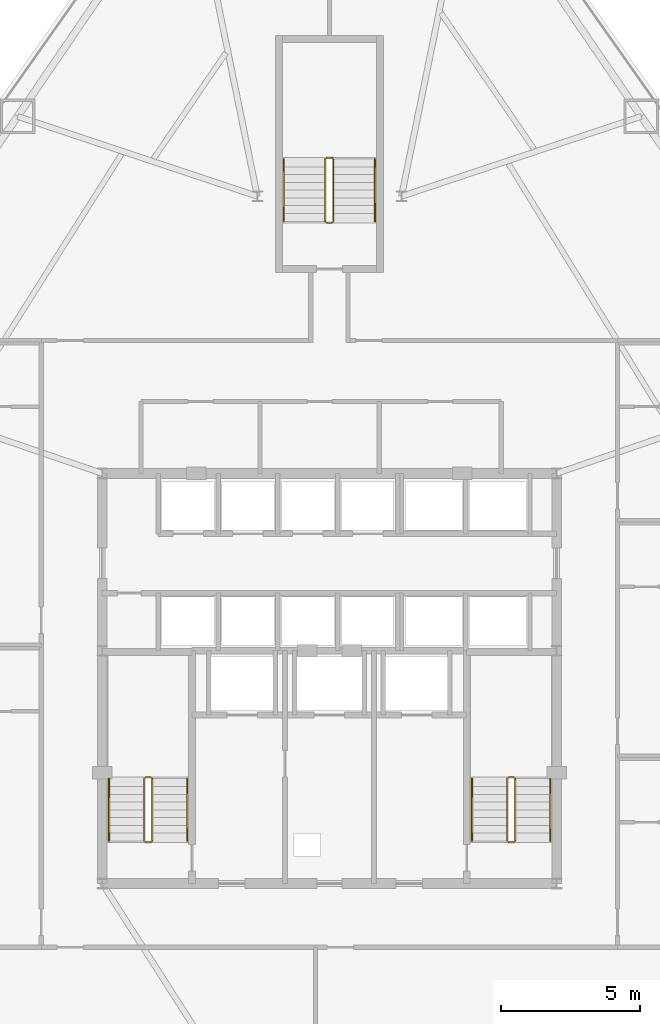
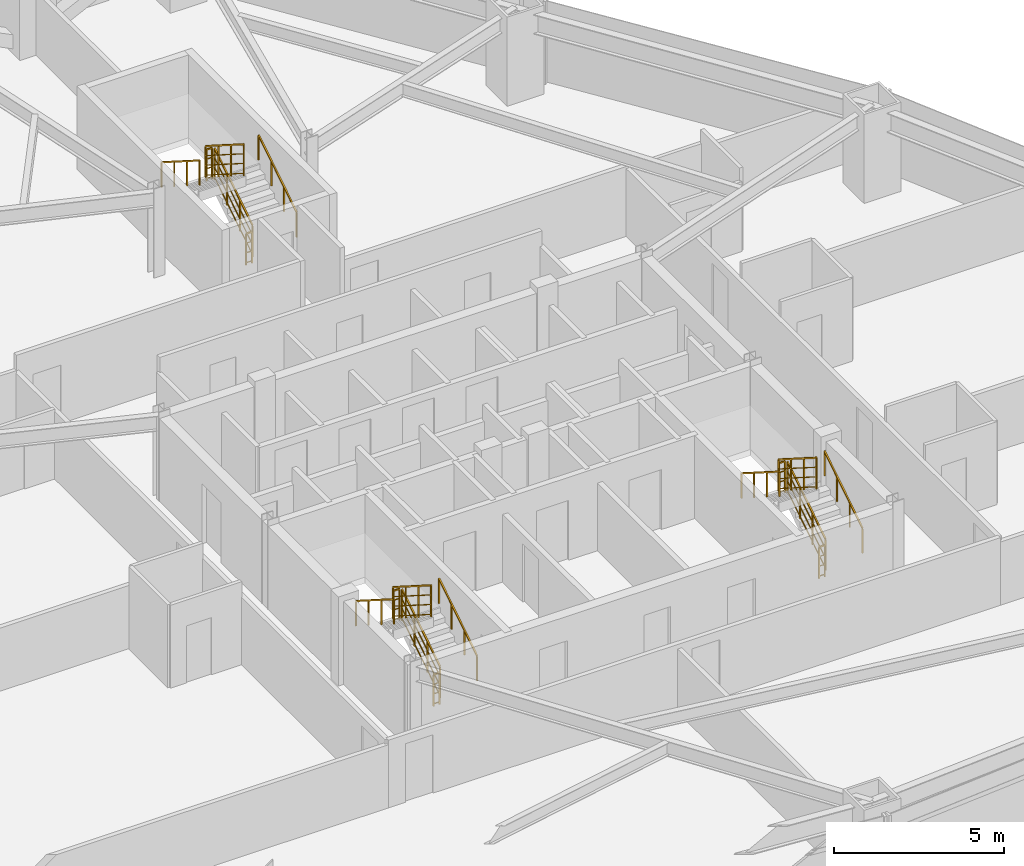
# One storey, part 12 of 12: 18 railings.
"""IFC4 building model written with IfcOpenShell, lengths in metres."""

from ifc_helpers import new_model, si_unit, direction, frame, origin, origin_2d, place, context, subcontext, project, spatial, rectangle, extrude, material, type_object, element, save


model = new_model("IFC4")

# Units and contexts
model_context = context("Model", 3, precision=1e-05, world=origin(), true_north=direction((0.0, 1.0)))
body_context = subcontext(model_context, "Body", "Model", "MODEL_VIEW")
ifc_project = project(units=[si_unit("LENGTHUNIT", "METRE"), si_unit("AREAUNIT", "SQUARE_METRE"), si_unit("VOLUMEUNIT", "CUBIC_METRE"), si_unit("PLANEANGLEUNIT", "RADIAN"), si_unit("MASSUNIT", "GRAM", prefix="KILO")], contexts=[model_context])

# Site, building, storey
site_placement = place(None, origin())
site = spatial("IfcSite", under=ifc_project, at=site_placement, CompositionType="ELEMENT")
building_placement = place(site_placement, origin())
building = spatial("IfcBuilding", under=site, at=building_placement, Name="Varakhsha Concourse Tower", CompositionType="ELEMENT")
storey_placement = place(building_placement, frame((0.0, 0.0, 36.800048828125)))
storey = spatial("IfcBuildingStorey", under=building, at=storey_placement, Name="L09", CompositionType="ELEMENT", Elevation=36.800048828125)

# Railings
ifc_material = material(Name="Brushed Austenitic Stainless Steel AISI 316", Category="steel")
railing_type_1 = type_object("IfcRailingType", Name="RL-STAIR-GUARD-1100", PredefinedType="GUARDRAIL", material=ifc_material)
railing_1_placement = place(storey_placement, frame((33.610107421875, 17.93994140625, 0.177734375)))
element("IfcRailing", 1, at=railing_1_placement, inside=storey, type_object=railing_type_1, Name="L09 ST1 stair guard 1", PredefinedType="GUARDRAIL", context=body_context, shape_type="SweptSolid", body=[
    extrude(rectangle(XDim=0.048095703125, YDim=0.048095703125, at=origin_2d()), frame((0.0, 0.0, 1.1259765625), z_axis=(0.0, 0.8442293374, 0.53598211339), x_axis=(-1.0, 0.0, 0.0)), (0.0, 0.0, 1.0), 2.6533203125),
    extrude(rectangle(XDim=0.028076171875, YDim=0.028076171875, at=origin_2d()), frame((0.0, 0.0, 0.080078125), z_axis=(0.0, 0.8442293374, 0.53598211339), x_axis=(-1.0, 0.0, 0.0)), (0.0, 0.0, 1.0), 2.6533203125),
    extrude(rectangle(XDim=0.028076171875, YDim=0.028076171875, at=origin_2d()), frame((0.0, 0.0, 0.43701171875), z_axis=(0.0, 0.8442293374, 0.53598211339), x_axis=(-1.0, 0.0, 0.0)), (0.0, 0.0, 1.0), 2.6533203125),
    extrude(rectangle(XDim=0.028076171875, YDim=0.028076171875, at=origin_2d()), frame((0.0, 0.0, 0.781982421875), z_axis=(0.0, 0.8442293374, 0.53598211339), x_axis=(-1.0, 0.0, 0.0)), (0.0, 0.0, 1.0), 2.6533203125),
    extrude(rectangle(XDim=0.0419921875, YDim=0.0419921875, at=origin_2d()), origin(), (0.0, 0.0, 1.0), 1.101806640625),
    extrude(rectangle(XDim=0.0419921875, YDim=0.0419921875, at=origin_2d()), frame((0.0, 0.74658203125, 0.47412109375)), (0.0, 0.0, 1.0), 1.101806640625),
    extrude(rectangle(XDim=0.0419921875, YDim=0.0419921875, at=origin_2d()), frame((0.0, 1.493408203125, 0.947998046875)), (0.0, 0.0, 1.0), 1.101806640625),
    extrude(rectangle(XDim=0.0419921875, YDim=0.0419921875, at=origin_2d()), frame((0.0, 2.239990234375, 1.422119140625)), (0.0, 0.0, 1.0), 1.101806640625),
])
railing_2_placement = place(storey_placement, frame((33.56005859375, 20.22998046875, 1.599853515625)))
element("IfcRailing", 2, at=railing_2_placement, inside=storey, type_object=railing_type_1, Name="L09 ST1 stair guard 2", PredefinedType="GUARDRAIL", context=body_context, shape_type="SweptSolid", body=[
    extrude(rectangle(XDim=0.048095703125, YDim=0.048095703125, at=origin_2d()), frame((0.0, 0.0, 1.1259765625), z_axis=(-1.0, 0.0, 0.0), x_axis=(0.0, -1.0, 0.0)), (0.0, 0.0, 1.0), 0.199951171875),
    extrude(rectangle(XDim=0.028076171875, YDim=0.028076171875, at=origin_2d()), frame((0.0, 0.0, 0.080078125), z_axis=(-1.0, 0.0, 0.0), x_axis=(0.0, -1.0, 0.0)), (0.0, 0.0, 1.0), 0.199951171875),
    extrude(rectangle(XDim=0.028076171875, YDim=0.028076171875, at=origin_2d()), frame((0.0, 0.0, 0.43701171875), z_axis=(-1.0, 0.0, 0.0), x_axis=(0.0, -1.0, 0.0)), (0.0, 0.0, 1.0), 0.199951171875),
    extrude(rectangle(XDim=0.028076171875, YDim=0.028076171875, at=origin_2d()), frame((0.0, 0.0, 0.781982421875), z_axis=(-1.0, 0.0, 0.0), x_axis=(0.0, -1.0, 0.0)), (0.0, 0.0, 1.0), 0.199951171875),
    extrude(rectangle(XDim=0.0419921875, YDim=0.0419921875, at=origin_2d()), origin(), (0.0, 0.0, 1.0), 1.101806640625),
    extrude(rectangle(XDim=0.0419921875, YDim=0.0419921875, at=origin_2d()), frame((-0.199951171875, 0.0, 0.0)), (0.0, 0.0, 1.0), 1.101806640625),
])
railing_3_placement = place(storey_placement, frame((33.31005859375, 20.179931640625, 1.77783203125)))
element("IfcRailing", 3, at=railing_3_placement, inside=storey, type_object=railing_type_1, Name="L09 ST1 stair guard 3", PredefinedType="GUARDRAIL", context=body_context, shape_type="SweptSolid", body=[
    extrude(rectangle(XDim=0.048095703125, YDim=0.048095703125, at=origin_2d()), frame((0.0, 0.0, 1.1259765625), z_axis=(0.0, -0.8442293374, 0.53598211339), x_axis=(1.0, 0.0, 0.0)), (0.0, 0.0, 1.0), 2.6533203125),
    extrude(rectangle(XDim=0.028076171875, YDim=0.028076171875, at=origin_2d()), frame((0.0, 0.0, 0.080078125), z_axis=(0.0, -0.8442293374, 0.53598211339), x_axis=(1.0, 0.0, 0.0)), (0.0, 0.0, 1.0), 2.6533203125),
    extrude(rectangle(XDim=0.028076171875, YDim=0.028076171875, at=origin_2d()), frame((0.0, 0.0, 0.43701171875), z_axis=(0.0, -0.8442293374, 0.53598211339), x_axis=(1.0, 0.0, 0.0)), (0.0, 0.0, 1.0), 2.6533203125),
    extrude(rectangle(XDim=0.028076171875, YDim=0.028076171875, at=origin_2d()), frame((0.0, 0.0, 0.781982421875), z_axis=(0.0, -0.8442293374, 0.53598211339), x_axis=(1.0, 0.0, 0.0)), (0.0, 0.0, 1.0), 2.6533203125),
    extrude(rectangle(XDim=0.0419921875, YDim=0.0419921875, at=origin_2d()), origin(), (0.0, 0.0, 1.0), 1.101806640625),
    extrude(rectangle(XDim=0.0419921875, YDim=0.0419921875, at=origin_2d()), frame((0.0, -0.74658203125, 0.47412109375)), (0.0, 0.0, 1.0), 1.101806640625),
    extrude(rectangle(XDim=0.0419921875, YDim=0.0419921875, at=origin_2d()), frame((0.0, -1.493408203125, 0.947998046875)), (0.0, 0.0, 1.0), 1.101806640625),
    extrude(rectangle(XDim=0.0419921875, YDim=0.0419921875, at=origin_2d()), frame((0.0, -2.239990234375, 1.422119140625)), (0.0, 0.0, 1.0), 1.101806640625),
])
railing_4_placement = place(storey_placement, frame((33.56005859375, 17.889892578125, 0.0)))
element("IfcRailing", 4, at=railing_4_placement, inside=storey, type_object=railing_type_1, Name="L09 ST1 stair guard 4", PredefinedType="GUARDRAIL", context=body_context, shape_type="SweptSolid", body=[
    extrude(rectangle(XDim=0.048095703125, YDim=0.048095703125, at=origin_2d()), frame((0.0, 0.0, 1.1259765625), z_axis=(-1.0, 0.0, 0.0), x_axis=(0.0, -1.0, 0.0)), (0.0, 0.0, 1.0), 0.199951171875),
    extrude(rectangle(XDim=0.028076171875, YDim=0.028076171875, at=origin_2d()), frame((0.0, 0.0, 0.080078125), z_axis=(-1.0, 0.0, 0.0), x_axis=(0.0, -1.0, 0.0)), (0.0, 0.0, 1.0), 0.199951171875),
    extrude(rectangle(XDim=0.028076171875, YDim=0.028076171875, at=origin_2d()), frame((0.0, 0.0, 0.43701171875), z_axis=(-1.0, 0.0, 0.0), x_axis=(0.0, -1.0, 0.0)), (0.0, 0.0, 1.0), 0.199951171875),
    extrude(rectangle(XDim=0.028076171875, YDim=0.028076171875, at=origin_2d()), frame((0.0, 0.0, 0.781982421875), z_axis=(-1.0, 0.0, 0.0), x_axis=(0.0, -1.0, 0.0)), (0.0, 0.0, 1.0), 0.199951171875),
    extrude(rectangle(XDim=0.0419921875, YDim=0.0419921875, at=origin_2d()), origin(), (0.0, 0.0, 1.0), 1.101806640625),
    extrude(rectangle(XDim=0.0419921875, YDim=0.0419921875, at=origin_2d()), frame((-0.199951171875, 0.0, 0.0)), (0.0, 0.0, 1.0), 1.101806640625),
])
railing_5_placement = place(storey_placement, frame((46.7099609375, 17.93994140625, 0.177734375)))
element("IfcRailing", 5, at=railing_5_placement, inside=storey, type_object=railing_type_1, Name="L09 ST2 stair guard 1", PredefinedType="GUARDRAIL", context=body_context, shape_type="SweptSolid", body=[
    extrude(rectangle(XDim=0.048095703125, YDim=0.048095703125, at=origin_2d()), frame((0.0, 0.0, 1.1259765625), z_axis=(0.0, 0.8442293374, 0.53598211339), x_axis=(-1.0, 0.0, 0.0)), (0.0, 0.0, 1.0), 2.6533203125),
    extrude(rectangle(XDim=0.028076171875, YDim=0.028076171875, at=origin_2d()), frame((0.0, 0.0, 0.080078125), z_axis=(0.0, 0.8442293374, 0.53598211339), x_axis=(-1.0, 0.0, 0.0)), (0.0, 0.0, 1.0), 2.6533203125),
    extrude(rectangle(XDim=0.028076171875, YDim=0.028076171875, at=origin_2d()), frame((0.0, 0.0, 0.43701171875), z_axis=(0.0, 0.8442293374, 0.53598211339), x_axis=(-1.0, 0.0, 0.0)), (0.0, 0.0, 1.0), 2.6533203125),
    extrude(rectangle(XDim=0.028076171875, YDim=0.028076171875, at=origin_2d()), frame((0.0, 0.0, 0.781982421875), z_axis=(0.0, 0.8442293374, 0.53598211339), x_axis=(-1.0, 0.0, 0.0)), (0.0, 0.0, 1.0), 2.6533203125),
    extrude(rectangle(XDim=0.0419921875, YDim=0.0419921875, at=origin_2d()), origin(), (0.0, 0.0, 1.0), 1.101806640625),
    extrude(rectangle(XDim=0.0419921875, YDim=0.0419921875, at=origin_2d()), frame((0.0, 0.74658203125, 0.47412109375)), (0.0, 0.0, 1.0), 1.101806640625),
    extrude(rectangle(XDim=0.0419921875, YDim=0.0419921875, at=origin_2d()), frame((0.0, 1.493408203125, 0.947998046875)), (0.0, 0.0, 1.0), 1.101806640625),
    extrude(rectangle(XDim=0.0419921875, YDim=0.0419921875, at=origin_2d()), frame((0.0, 2.239990234375, 1.422119140625)), (0.0, 0.0, 1.0), 1.101806640625),
])
railing_6_placement = place(storey_placement, frame((46.659912109375, 20.22998046875, 1.599853515625)))
element("IfcRailing", 6, at=railing_6_placement, inside=storey, type_object=railing_type_1, Name="L09 ST2 stair guard 2", PredefinedType="GUARDRAIL", context=body_context, shape_type="SweptSolid", body=[
    extrude(rectangle(XDim=0.048095703125, YDim=0.048095703125, at=origin_2d()), frame((0.0, 0.0, 1.1259765625), z_axis=(-1.0, 0.0, 0.0), x_axis=(0.0, -1.0, 0.0)), (0.0, 0.0, 1.0), 0.199951171875),
    extrude(rectangle(XDim=0.028076171875, YDim=0.028076171875, at=origin_2d()), frame((0.0, 0.0, 0.080078125), z_axis=(-1.0, 0.0, 0.0), x_axis=(0.0, -1.0, 0.0)), (0.0, 0.0, 1.0), 0.199951171875),
    extrude(rectangle(XDim=0.028076171875, YDim=0.028076171875, at=origin_2d()), frame((0.0, 0.0, 0.43701171875), z_axis=(-1.0, 0.0, 0.0), x_axis=(0.0, -1.0, 0.0)), (0.0, 0.0, 1.0), 0.199951171875),
    extrude(rectangle(XDim=0.028076171875, YDim=0.028076171875, at=origin_2d()), frame((0.0, 0.0, 0.781982421875), z_axis=(-1.0, 0.0, 0.0), x_axis=(0.0, -1.0, 0.0)), (0.0, 0.0, 1.0), 0.199951171875),
    extrude(rectangle(XDim=0.0419921875, YDim=0.0419921875, at=origin_2d()), origin(), (0.0, 0.0, 1.0), 1.101806640625),
    extrude(rectangle(XDim=0.0419921875, YDim=0.0419921875, at=origin_2d()), frame((-0.199951171875, 0.0, 0.0)), (0.0, 0.0, 1.0), 1.101806640625),
])
railing_7_placement = place(storey_placement, frame((46.409912109375, 20.179931640625, 1.77783203125)))
element("IfcRailing", 7, at=railing_7_placement, inside=storey, type_object=railing_type_1, Name="L09 ST2 stair guard 3", PredefinedType="GUARDRAIL", context=body_context, shape_type="SweptSolid", body=[
    extrude(rectangle(XDim=0.048095703125, YDim=0.048095703125, at=origin_2d()), frame((0.0, 0.0, 1.1259765625), z_axis=(0.0, -0.8442293374, 0.53598211339), x_axis=(1.0, 0.0, 0.0)), (0.0, 0.0, 1.0), 2.6533203125),
    extrude(rectangle(XDim=0.028076171875, YDim=0.028076171875, at=origin_2d()), frame((0.0, 0.0, 0.080078125), z_axis=(0.0, -0.8442293374, 0.53598211339), x_axis=(1.0, 0.0, 0.0)), (0.0, 0.0, 1.0), 2.6533203125),
    extrude(rectangle(XDim=0.028076171875, YDim=0.028076171875, at=origin_2d()), frame((0.0, 0.0, 0.43701171875), z_axis=(0.0, -0.8442293374, 0.53598211339), x_axis=(1.0, 0.0, 0.0)), (0.0, 0.0, 1.0), 2.6533203125),
    extrude(rectangle(XDim=0.028076171875, YDim=0.028076171875, at=origin_2d()), frame((0.0, 0.0, 0.781982421875), z_axis=(0.0, -0.8442293374, 0.53598211339), x_axis=(1.0, 0.0, 0.0)), (0.0, 0.0, 1.0), 2.6533203125),
    extrude(rectangle(XDim=0.0419921875, YDim=0.0419921875, at=origin_2d()), origin(), (0.0, 0.0, 1.0), 1.101806640625),
    extrude(rectangle(XDim=0.0419921875, YDim=0.0419921875, at=origin_2d()), frame((0.0, -0.74658203125, 0.47412109375)), (0.0, 0.0, 1.0), 1.101806640625),
    extrude(rectangle(XDim=0.0419921875, YDim=0.0419921875, at=origin_2d()), frame((0.0, -1.493408203125, 0.947998046875)), (0.0, 0.0, 1.0), 1.101806640625),
    extrude(rectangle(XDim=0.0419921875, YDim=0.0419921875, at=origin_2d()), frame((0.0, -2.239990234375, 1.422119140625)), (0.0, 0.0, 1.0), 1.101806640625),
])
railing_8_placement = place(storey_placement, frame((46.659912109375, 17.889892578125, 0.0)))
element("IfcRailing", 8, at=railing_8_placement, inside=storey, type_object=railing_type_1, Name="L09 ST2 stair guard 4", PredefinedType="GUARDRAIL", context=body_context, shape_type="SweptSolid", body=[
    extrude(rectangle(XDim=0.048095703125, YDim=0.048095703125, at=origin_2d()), frame((0.0, 0.0, 1.1259765625), z_axis=(-1.0, 0.0, 0.0), x_axis=(0.0, -1.0, 0.0)), (0.0, 0.0, 1.0), 0.199951171875),
    extrude(rectangle(XDim=0.028076171875, YDim=0.028076171875, at=origin_2d()), frame((0.0, 0.0, 0.080078125), z_axis=(-1.0, 0.0, 0.0), x_axis=(0.0, -1.0, 0.0)), (0.0, 0.0, 1.0), 0.199951171875),
    extrude(rectangle(XDim=0.028076171875, YDim=0.028076171875, at=origin_2d()), frame((0.0, 0.0, 0.43701171875), z_axis=(-1.0, 0.0, 0.0), x_axis=(0.0, -1.0, 0.0)), (0.0, 0.0, 1.0), 0.199951171875),
    extrude(rectangle(XDim=0.028076171875, YDim=0.028076171875, at=origin_2d()), frame((0.0, 0.0, 0.781982421875), z_axis=(-1.0, 0.0, 0.0), x_axis=(0.0, -1.0, 0.0)), (0.0, 0.0, 1.0), 0.199951171875),
    extrude(rectangle(XDim=0.0419921875, YDim=0.0419921875, at=origin_2d()), origin(), (0.0, 0.0, 1.0), 1.101806640625),
    extrude(rectangle(XDim=0.0419921875, YDim=0.0419921875, at=origin_2d()), frame((-0.199951171875, 0.0, 0.0)), (0.0, 0.0, 1.0), 1.101806640625),
])
railing_9_placement = place(storey_placement, frame((40.14990234375, 40.300048828125, 0.177734375)))
element("IfcRailing", 9, at=railing_9_placement, inside=storey, type_object=railing_type_1, Name="L09 ST5 stair guard 1", PredefinedType="GUARDRAIL", context=body_context, shape_type="SweptSolid", body=[
    extrude(rectangle(XDim=0.048095703125, YDim=0.048095703125, at=origin_2d()), frame((0.0, 0.0, 1.1259765625), z_axis=(0.0, 0.8442293374, 0.53598211339), x_axis=(-1.0, 0.0, 0.0)), (0.0, 0.0, 1.0), 2.6533203125),
    extrude(rectangle(XDim=0.028076171875, YDim=0.028076171875, at=origin_2d()), frame((0.0, 0.0, 0.080078125), z_axis=(0.0, 0.8442293374, 0.53598211339), x_axis=(-1.0, 0.0, 0.0)), (0.0, 0.0, 1.0), 2.6533203125),
    extrude(rectangle(XDim=0.028076171875, YDim=0.028076171875, at=origin_2d()), frame((0.0, 0.0, 0.43701171875), z_axis=(0.0, 0.8442293374, 0.53598211339), x_axis=(-1.0, 0.0, 0.0)), (0.0, 0.0, 1.0), 2.6533203125),
    extrude(rectangle(XDim=0.028076171875, YDim=0.028076171875, at=origin_2d()), frame((0.0, 0.0, 0.781982421875), z_axis=(0.0, 0.8442293374, 0.53598211339), x_axis=(-1.0, 0.0, 0.0)), (0.0, 0.0, 1.0), 2.6533203125),
    extrude(rectangle(XDim=0.0419921875, YDim=0.0419921875, at=origin_2d()), origin(), (0.0, 0.0, 1.0), 1.101806640625),
    extrude(rectangle(XDim=0.0419921875, YDim=0.0419921875, at=origin_2d()), frame((0.0, 0.74658203125, 0.47412109375)), (0.0, 0.0, 1.0), 1.101806640625),
    extrude(rectangle(XDim=0.0419921875, YDim=0.0419921875, at=origin_2d()), frame((0.0, 1.493408203125, 0.947998046875)), (0.0, 0.0, 1.0), 1.101806640625),
    extrude(rectangle(XDim=0.0419921875, YDim=0.0419921875, at=origin_2d()), frame((0.0, 2.239990234375, 1.422119140625)), (0.0, 0.0, 1.0), 1.101806640625),
])
railing_10_placement = place(storey_placement, frame((40.10009765625, 42.590087890625, 1.599853515625)))
element("IfcRailing", 10, at=railing_10_placement, inside=storey, type_object=railing_type_1, Name="L09 ST5 stair guard 2", PredefinedType="GUARDRAIL", context=body_context, shape_type="SweptSolid", body=[
    extrude(rectangle(XDim=0.048095703125, YDim=0.048095703125, at=origin_2d()), frame((0.0, 0.0, 1.1259765625), z_axis=(-1.0, 0.0, 0.0), x_axis=(0.0, -1.0, 0.0)), (0.0, 0.0, 1.0), 0.2001953125),
    extrude(rectangle(XDim=0.028076171875, YDim=0.028076171875, at=origin_2d()), frame((0.0, 0.0, 0.080078125), z_axis=(-1.0, 0.0, 0.0), x_axis=(0.0, -1.0, 0.0)), (0.0, 0.0, 1.0), 0.2001953125),
    extrude(rectangle(XDim=0.028076171875, YDim=0.028076171875, at=origin_2d()), frame((0.0, 0.0, 0.43701171875), z_axis=(-1.0, 0.0, 0.0), x_axis=(0.0, -1.0, 0.0)), (0.0, 0.0, 1.0), 0.2001953125),
    extrude(rectangle(XDim=0.028076171875, YDim=0.028076171875, at=origin_2d()), frame((0.0, 0.0, 0.781982421875), z_axis=(-1.0, 0.0, 0.0), x_axis=(0.0, -1.0, 0.0)), (0.0, 0.0, 1.0), 0.2001953125),
    extrude(rectangle(XDim=0.0419921875, YDim=0.0419921875, at=origin_2d()), origin(), (0.0, 0.0, 1.0), 1.101806640625),
    extrude(rectangle(XDim=0.0419921875, YDim=0.0419921875, at=origin_2d()), frame((-0.2001953125, 0.0, 0.0)), (0.0, 0.0, 1.0), 1.101806640625),
])
railing_11_placement = place(storey_placement, frame((39.85009765625, 42.5400390625, 1.77783203125)))
element("IfcRailing", 11, at=railing_11_placement, inside=storey, type_object=railing_type_1, Name="L09 ST5 stair guard 3", PredefinedType="GUARDRAIL", context=body_context, shape_type="SweptSolid", body=[
    extrude(rectangle(XDim=0.048095703125, YDim=0.048095703125, at=origin_2d()), frame((0.0, 0.0, 1.1259765625), z_axis=(0.0, -0.8442293374, 0.53598211339), x_axis=(1.0, 0.0, 0.0)), (0.0, 0.0, 1.0), 2.6533203125),
    extrude(rectangle(XDim=0.028076171875, YDim=0.028076171875, at=origin_2d()), frame((0.0, 0.0, 0.080078125), z_axis=(0.0, -0.8442293374, 0.53598211339), x_axis=(1.0, 0.0, 0.0)), (0.0, 0.0, 1.0), 2.6533203125),
    extrude(rectangle(XDim=0.028076171875, YDim=0.028076171875, at=origin_2d()), frame((0.0, 0.0, 0.43701171875), z_axis=(0.0, -0.8442293374, 0.53598211339), x_axis=(1.0, 0.0, 0.0)), (0.0, 0.0, 1.0), 2.6533203125),
    extrude(rectangle(XDim=0.028076171875, YDim=0.028076171875, at=origin_2d()), frame((0.0, 0.0, 0.781982421875), z_axis=(0.0, -0.8442293374, 0.53598211339), x_axis=(1.0, 0.0, 0.0)), (0.0, 0.0, 1.0), 2.6533203125),
    extrude(rectangle(XDim=0.0419921875, YDim=0.0419921875, at=origin_2d()), origin(), (0.0, 0.0, 1.0), 1.101806640625),
    extrude(rectangle(XDim=0.0419921875, YDim=0.0419921875, at=origin_2d()), frame((0.0, -0.74658203125, 0.47412109375)), (0.0, 0.0, 1.0), 1.101806640625),
    extrude(rectangle(XDim=0.0419921875, YDim=0.0419921875, at=origin_2d()), frame((0.0, -1.493408203125, 0.947998046875)), (0.0, 0.0, 1.0), 1.101806640625),
    extrude(rectangle(XDim=0.0419921875, YDim=0.0419921875, at=origin_2d()), frame((0.0, -2.239990234375, 1.422119140625)), (0.0, 0.0, 1.0), 1.101806640625),
])
railing_12_placement = place(storey_placement, frame((40.10009765625, 40.25, 0.0)))
element("IfcRailing", 12, at=railing_12_placement, inside=storey, type_object=railing_type_1, Name="L09 ST5 stair guard 4", PredefinedType="GUARDRAIL", context=body_context, shape_type="SweptSolid", body=[
    extrude(rectangle(XDim=0.048095703125, YDim=0.048095703125, at=origin_2d()), frame((0.0, 0.0, 1.1259765625), z_axis=(-1.0, 0.0, 0.0), x_axis=(0.0, -1.0, 0.0)), (0.0, 0.0, 1.0), 0.2001953125),
    extrude(rectangle(XDim=0.028076171875, YDim=0.028076171875, at=origin_2d()), frame((0.0, 0.0, 0.080078125), z_axis=(-1.0, 0.0, 0.0), x_axis=(0.0, -1.0, 0.0)), (0.0, 0.0, 1.0), 0.2001953125),
    extrude(rectangle(XDim=0.028076171875, YDim=0.028076171875, at=origin_2d()), frame((0.0, 0.0, 0.43701171875), z_axis=(-1.0, 0.0, 0.0), x_axis=(0.0, -1.0, 0.0)), (0.0, 0.0, 1.0), 0.2001953125),
    extrude(rectangle(XDim=0.028076171875, YDim=0.028076171875, at=origin_2d()), frame((0.0, 0.0, 0.781982421875), z_axis=(-1.0, 0.0, 0.0), x_axis=(0.0, -1.0, 0.0)), (0.0, 0.0, 1.0), 0.2001953125),
    extrude(rectangle(XDim=0.0419921875, YDim=0.0419921875, at=origin_2d()), origin(), (0.0, 0.0, 1.0), 1.101806640625),
    extrude(rectangle(XDim=0.0419921875, YDim=0.0419921875, at=origin_2d()), frame((-0.2001953125, 0.0, 0.0)), (0.0, 0.0, 1.0), 1.101806640625),
])
railing_type_2 = type_object("IfcRailingType", Name="RL-STAIR-RAIL-915", PredefinedType="HANDRAIL", material=ifc_material)
railing_13_placement = place(storey_placement, frame((34.8701171875, 17.93994140625, 0.35546875)))
element("IfcRailing", 13, at=railing_13_placement, inside=storey, type_object=railing_type_2, Name="L09 ST1 stair handrail 1", PredefinedType="HANDRAIL", context=body_context, shape_type="SweptSolid", body=[
    extrude(rectangle(XDim=0.048095703125, YDim=0.048095703125, at=origin_2d()), frame((0.0, 0.0, 0.89111328125), z_axis=(0.0, 0.84418770128, 0.536047689118), x_axis=(-1.0, 0.0, 0.0)), (0.0, 0.0, 1.0), 2.6533203125),
    extrude(rectangle(XDim=0.0419921875, YDim=0.0419921875, at=origin_2d()), origin(), (0.0, 0.0, 1.0), 0.866943359375),
    extrude(rectangle(XDim=0.0419921875, YDim=0.0419921875, at=origin_2d()), frame((0.0, 0.74658203125, 0.47412109375)), (0.0, 0.0, 1.0), 0.866943359375),
    extrude(rectangle(XDim=0.0419921875, YDim=0.0419921875, at=origin_2d()), frame((0.0, 1.493408203125, 0.9482421875)), (0.0, 0.0, 1.0), 0.866943359375),
    extrude(rectangle(XDim=0.0419921875, YDim=0.0419921875, at=origin_2d()), frame((0.0, 2.239990234375, 1.42236328125)), (0.0, 0.0, 1.0), 0.866943359375),
])
railing_14_placement = place(storey_placement, frame((32.050048828125, 20.179931640625, 1.95556640625)))
element("IfcRailing", 14, at=railing_14_placement, inside=storey, type_object=railing_type_2, Name="L09 ST1 stair handrail 2", PredefinedType="HANDRAIL", context=body_context, shape_type="SweptSolid", body=[
    extrude(rectangle(XDim=0.048095703125, YDim=0.048095703125, at=origin_2d()), frame((0.0, 0.0, 0.89111328125), z_axis=(0.0, -0.8442293374, 0.53598211339), x_axis=(1.0, 0.0, 0.0)), (0.0, 0.0, 1.0), 2.6533203125),
    extrude(rectangle(XDim=0.0419921875, YDim=0.0419921875, at=origin_2d()), origin(), (0.0, 0.0, 1.0), 0.866943359375),
    extrude(rectangle(XDim=0.0419921875, YDim=0.0419921875, at=origin_2d()), frame((0.0, -0.74658203125, 0.47412109375)), (0.0, 0.0, 1.0), 0.866943359375),
    extrude(rectangle(XDim=0.0419921875, YDim=0.0419921875, at=origin_2d()), frame((0.0, -1.493408203125, 0.947998046875)), (0.0, 0.0, 1.0), 0.866943359375),
    extrude(rectangle(XDim=0.0419921875, YDim=0.0419921875, at=origin_2d()), frame((0.0, -2.239990234375, 1.422119140625)), (0.0, 0.0, 1.0), 0.866943359375),
])
railing_15_placement = place(storey_placement, frame((47.969970703125, 17.93994140625, 0.35546875)))
element("IfcRailing", 15, at=railing_15_placement, inside=storey, type_object=railing_type_2, Name="L09 ST2 stair handrail 1", PredefinedType="HANDRAIL", context=body_context, shape_type="SweptSolid", body=[
    extrude(rectangle(XDim=0.048095703125, YDim=0.048095703125, at=origin_2d()), frame((0.0, 0.0, 0.89111328125), z_axis=(0.0, 0.84418770128, 0.536047689118), x_axis=(-1.0, 0.0, 0.0)), (0.0, 0.0, 1.0), 2.6533203125),
    extrude(rectangle(XDim=0.0419921875, YDim=0.0419921875, at=origin_2d()), origin(), (0.0, 0.0, 1.0), 0.866943359375),
    extrude(rectangle(XDim=0.0419921875, YDim=0.0419921875, at=origin_2d()), frame((0.0, 0.74658203125, 0.47412109375)), (0.0, 0.0, 1.0), 0.866943359375),
    extrude(rectangle(XDim=0.0419921875, YDim=0.0419921875, at=origin_2d()), frame((0.0, 1.493408203125, 0.9482421875)), (0.0, 0.0, 1.0), 0.866943359375),
    extrude(rectangle(XDim=0.0419921875, YDim=0.0419921875, at=origin_2d()), frame((0.0, 2.239990234375, 1.42236328125)), (0.0, 0.0, 1.0), 0.866943359375),
])
railing_16_placement = place(storey_placement, frame((45.14990234375, 20.179931640625, 1.95556640625)))
element("IfcRailing", 16, at=railing_16_placement, inside=storey, type_object=railing_type_2, Name="L09 ST2 stair handrail 2", PredefinedType="HANDRAIL", context=body_context, shape_type="SweptSolid", body=[
    extrude(rectangle(XDim=0.048095703125, YDim=0.048095703125, at=origin_2d()), frame((0.0, 0.0, 0.89111328125), z_axis=(0.0, -0.8442293374, 0.53598211339), x_axis=(1.0, 0.0, 0.0)), (0.0, 0.0, 1.0), 2.6533203125),
    extrude(rectangle(XDim=0.0419921875, YDim=0.0419921875, at=origin_2d()), origin(), (0.0, 0.0, 1.0), 0.866943359375),
    extrude(rectangle(XDim=0.0419921875, YDim=0.0419921875, at=origin_2d()), frame((0.0, -0.74658203125, 0.47412109375)), (0.0, 0.0, 1.0), 0.866943359375),
    extrude(rectangle(XDim=0.0419921875, YDim=0.0419921875, at=origin_2d()), frame((0.0, -1.493408203125, 0.947998046875)), (0.0, 0.0, 1.0), 0.866943359375),
    extrude(rectangle(XDim=0.0419921875, YDim=0.0419921875, at=origin_2d()), frame((0.0, -2.239990234375, 1.422119140625)), (0.0, 0.0, 1.0), 0.866943359375),
])
railing_17_placement = place(storey_placement, frame((41.64990234375, 40.300048828125, 0.35546875)))
element("IfcRailing", 17, at=railing_17_placement, inside=storey, type_object=railing_type_2, Name="L09 ST5 stair handrail 1", PredefinedType="HANDRAIL", context=body_context, shape_type="SweptSolid", body=[
    extrude(rectangle(XDim=0.048095703125, YDim=0.048095703125, at=origin_2d()), frame((0.0, 0.0, 0.89111328125), z_axis=(0.0, 0.84418770128, 0.536047689118), x_axis=(-1.0, 0.0, 0.0)), (0.0, 0.0, 1.0), 2.6533203125),
    extrude(rectangle(XDim=0.0419921875, YDim=0.0419921875, at=origin_2d()), origin(), (0.0, 0.0, 1.0), 0.866943359375),
    extrude(rectangle(XDim=0.0419921875, YDim=0.0419921875, at=origin_2d()), frame((0.0, 0.74658203125, 0.47412109375)), (0.0, 0.0, 1.0), 0.866943359375),
    extrude(rectangle(XDim=0.0419921875, YDim=0.0419921875, at=origin_2d()), frame((0.0, 1.493408203125, 0.9482421875)), (0.0, 0.0, 1.0), 0.866943359375),
    extrude(rectangle(XDim=0.0419921875, YDim=0.0419921875, at=origin_2d()), frame((0.0, 2.239990234375, 1.42236328125)), (0.0, 0.0, 1.0), 0.866943359375),
])
railing_18_placement = place(storey_placement, frame((38.35009765625, 42.5400390625, 1.95556640625)))
element("IfcRailing", 18, at=railing_18_placement, inside=storey, type_object=railing_type_2, Name="L09 ST5 stair handrail 2", PredefinedType="HANDRAIL", context=body_context, shape_type="SweptSolid", body=[
    extrude(rectangle(XDim=0.048095703125, YDim=0.048095703125, at=origin_2d()), frame((0.0, 0.0, 0.89111328125), z_axis=(0.0, -0.8442293374, 0.53598211339), x_axis=(1.0, 0.0, 0.0)), (0.0, 0.0, 1.0), 2.6533203125),
    extrude(rectangle(XDim=0.0419921875, YDim=0.0419921875, at=origin_2d()), origin(), (0.0, 0.0, 1.0), 0.866943359375),
    extrude(rectangle(XDim=0.0419921875, YDim=0.0419921875, at=origin_2d()), frame((0.0, -0.74658203125, 0.47412109375)), (0.0, 0.0, 1.0), 0.866943359375),
    extrude(rectangle(XDim=0.0419921875, YDim=0.0419921875, at=origin_2d()), frame((0.0, -1.493408203125, 0.947998046875)), (0.0, 0.0, 1.0), 0.866943359375),
    extrude(rectangle(XDim=0.0419921875, YDim=0.0419921875, at=origin_2d()), frame((0.0, -2.239990234375, 1.422119140625)), (0.0, 0.0, 1.0), 0.866943359375),
])

save(model, "model.ifc")
